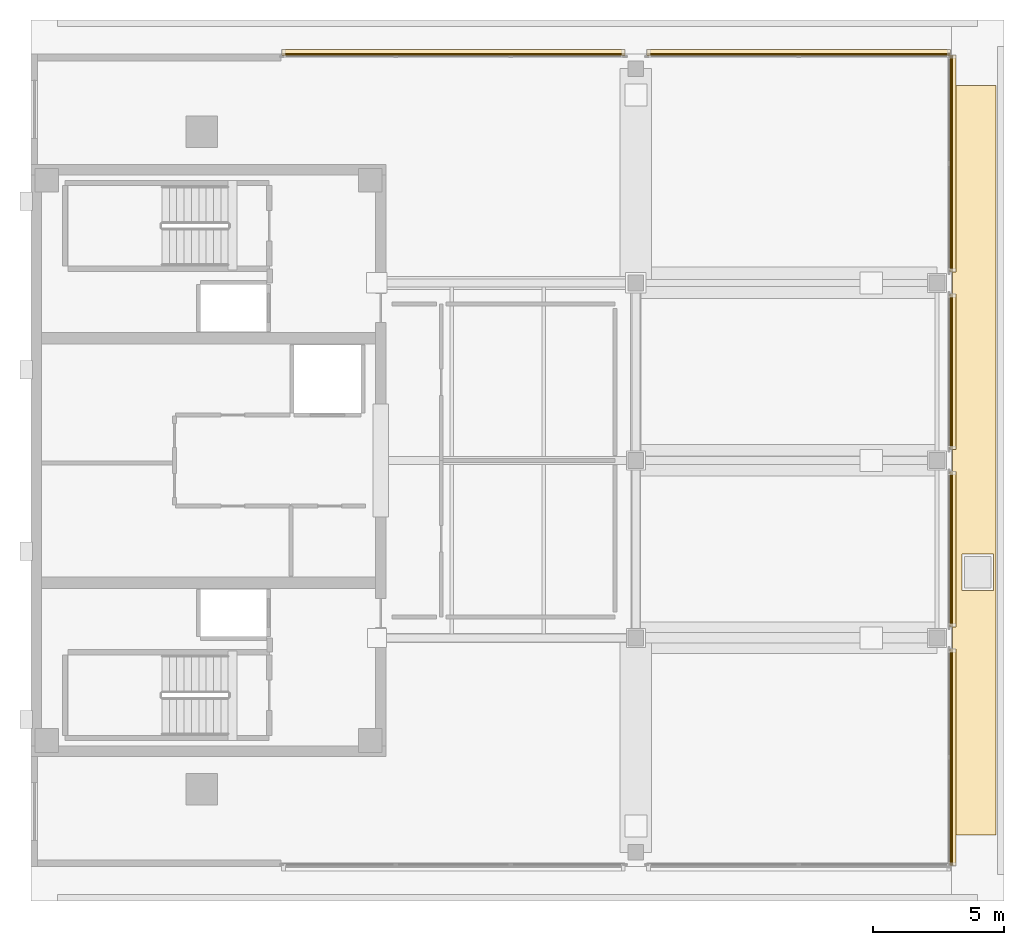
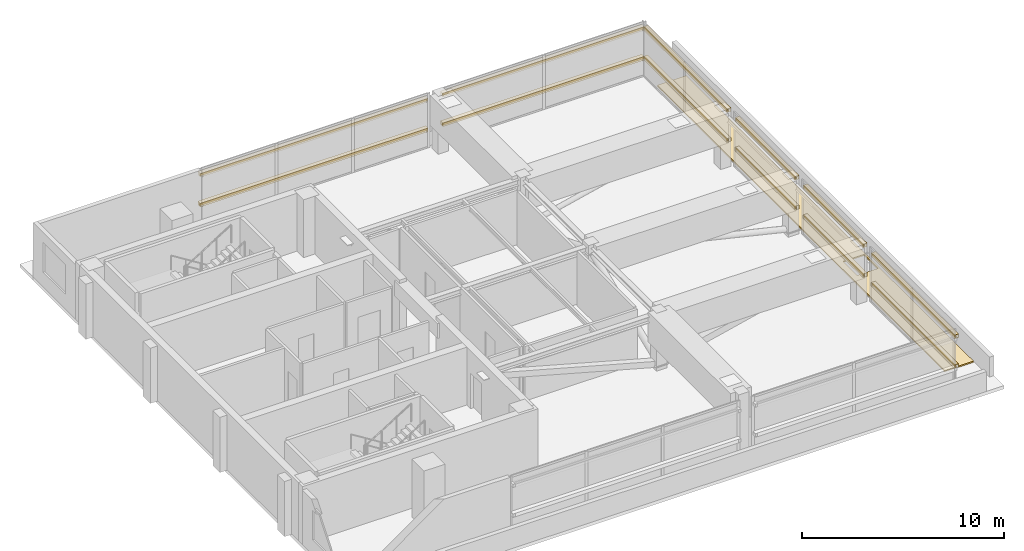
# One storey, part 11 of 11: 13 coverings, 12 shading devices.
"""IFC4 building model written with IfcOpenShell, lengths in metres."""

from ifc_helpers import new_model, si_unit, direction, frame, origin, origin_2d, place, context, subcontext, project, spatial, polyline, rectangle, outline, extrude, material, layer, layer_set, material_profile, profile_set, type_object, element, save


model = new_model("IFC4")

# Units and contexts
model_context = context("Model", 3, precision=1e-05, world=origin(), true_north=direction((0.0, 1.0)))
body_context = subcontext(model_context, "Body", "Model", "MODEL_VIEW")
ifc_project = project(units=[si_unit("LENGTHUNIT", "METRE"), si_unit("AREAUNIT", "SQUARE_METRE"), si_unit("VOLUMEUNIT", "CUBIC_METRE"), si_unit("PLANEANGLEUNIT", "RADIAN"), si_unit("MASSUNIT", "GRAM", prefix="KILO")], contexts=[model_context])

# Site, building, storey
site_placement = place(None, origin())
site = spatial("IfcSite", under=ifc_project, at=site_placement, CompositionType="ELEMENT")
building_placement = place(site_placement, origin())
building = spatial("IfcBuilding", under=site, at=building_placement, Name="Kinhvarn Gate Tower", CompositionType="ELEMENT")
storey_placement = place(building_placement, frame((0.0, 0.0, 307.550048828125)))
storey = spatial("IfcBuildingStorey", under=building, at=storey_placement, Name="L81", CompositionType="ELEMENT", Elevation=307.550048828125)

# Coverings
ifc_material_1 = material(Name="Fired architectural terracotta", Category="masonry")
ifc_layer_1 = layer(ifc_material_1, 0.239990234375)
ifc_layer_set_1 = layer_set([ifc_layer_1], Name="Fired architectural terracotta")
covering_type_1 = type_object("IfcCoveringType", Name="COV-BAG-220", PredefinedType="CLADDING", material=ifc_layer_set_1)
for number, where, name in (
    (1, (0.0, 0.0, 0.93994140625), "Terracotta Horizontal Sunscreen Band TBG-220 (L81)"),
    (2, (0.0, 0.0, 2.739990234375), "Terracotta Horizontal Sunscreen Band TBG-220 (L81)"),
):
    element("IfcCovering", number, at=place(storey_placement, frame(where)), inside=storey, type_object=covering_type_1, Name=name, PredefinedType="CLADDING", context=body_context, shape_type="SweptSolid", body=[
        extrude(outline(polyline([(39.4599609375, 40.6298828125), (27.919921875, 40.6298828125), (27.919921875, 40.8701171875), (39.4599609375, 40.8701171875), (39.4599609375, 40.6298828125)])), origin(), (0.0, 0.0, 1.0), 0.219970703125),
    ])
for number, where, name in (
    (3, (0.0, 0.0, 0.93994140625), "Terracotta Horizontal Sunscreen Band TBG-220 (L81)"),
    (4, (0.0, 0.0, 2.739990234375), "Terracotta Horizontal Sunscreen Band TBG-220 (L81)"),
):
    element("IfcCovering", number, at=place(storey_placement, frame(where)), inside=storey, type_object=covering_type_1, Name=name, PredefinedType="CLADDING", context=body_context, shape_type="SweptSolid", body=[
        extrude(outline(polyline([(27.080078125, 40.6298828125), (14.0400390625, 40.6298828125), (14.0400390625, 40.8701171875), (27.080078125, 40.8701171875), (27.080078125, 40.6298828125)])), origin(), (0.0, 0.0, 1.0), 0.219970703125),
    ])
for number, where, name in (
    (5, (0.0, 0.0, 0.93994140625), "Terracotta Horizontal Sunscreen Band TBG-220 (L81)"),
    (6, (0.0, 0.0, 2.739990234375), "Terracotta Horizontal Sunscreen Band TBG-220 (L81)"),
):
    element("IfcCovering", number, at=place(storey_placement, frame(where)), inside=storey, type_object=covering_type_1, Name=name, PredefinedType="CLADDING", context=body_context, shape_type="SweptSolid", body=[
        extrude(outline(polyline([(39.429931640625, 9.840087890625), (39.429931640625, 18.080078125), (39.669921875, 18.080078125), (39.669921875, 9.840087890625), (39.429931640625, 9.840087890625)])), origin(), (0.0, 0.0, 1.0), 0.219970703125),
    ])
for number, where, name in (
    (7, (0.0, 0.0, 0.93994140625), "Terracotta Horizontal Sunscreen Band TBG-220 (L81)"),
    (8, (0.0, 0.0, 2.739990234375), "Terracotta Horizontal Sunscreen Band TBG-220 (L81)"),
):
    element("IfcCovering", number, at=place(storey_placement, frame(where)), inside=storey, type_object=covering_type_1, Name=name, PredefinedType="CLADDING", context=body_context, shape_type="SweptSolid", body=[
        extrude(outline(polyline([(39.429931640625, 18.919921875), (39.429931640625, 24.830078125), (39.669921875, 24.830078125), (39.669921875, 18.919921875), (39.429931640625, 18.919921875)])), origin(), (0.0, 0.0, 1.0), 0.219970703125),
    ])
for number, where, name in (
    (9, (0.0, 0.0, 0.93994140625), "Terracotta Horizontal Sunscreen Band TBG-220 (L81)"),
    (10, (0.0, 0.0, 2.739990234375), "Terracotta Horizontal Sunscreen Band TBG-220 (L81)"),
):
    element("IfcCovering", number, at=place(storey_placement, frame(where)), inside=storey, type_object=covering_type_1, Name=name, PredefinedType="CLADDING", context=body_context, shape_type="SweptSolid", body=[
        extrude(outline(polyline([(39.429931640625, 25.669921875), (39.429931640625, 31.580078125), (39.669921875, 31.580078125), (39.669921875, 25.669921875), (39.429931640625, 25.669921875)])), origin(), (0.0, 0.0, 1.0), 0.219970703125),
    ])
for number, where, name in (
    (11, (0.0, 0.0, 0.93994140625), "Terracotta Horizontal Sunscreen Band TBG-220 (L81)"),
    (12, (0.0, 0.0, 2.739990234375), "Terracotta Horizontal Sunscreen Band TBG-220 (L81)"),
):
    element("IfcCovering", number, at=place(storey_placement, frame(where)), inside=storey, type_object=covering_type_1, Name=name, PredefinedType="CLADDING", context=body_context, shape_type="SweptSolid", body=[
        extrude(outline(polyline([(39.429931640625, 32.419921875), (39.429931640625, 40.659912109375), (39.669921875, 40.659912109375), (39.669921875, 32.419921875), (39.429931640625, 32.419921875)])), origin(), (0.0, 0.0, 1.0), 0.219970703125),
    ])
ifc_material_2 = material(Name="Insulated EPDM waterproof roof build-up")
ifc_layer_2 = layer(ifc_material_2, 0.080078125)
ifc_layer_set_2 = layer_set([ifc_layer_2], Name="Insulated EPDM waterproof roof build-up")
covering_type_2 = type_object("IfcCoveringType", Name="COV-ROOF-80", PredefinedType="ROOFING", material=ifc_layer_set_2)
covering_placement = place(storey_placement, origin())
element("IfcCovering", 13, at=covering_placement, inside=storey, type_object=covering_type_2, Name="Crown Waterproof EPDM Roof Covering (L81)", PredefinedType="ROOFING", context=body_context, shape_type="SweptSolid", body=[
    extrude(outline(polyline([(39.550048828125, 11.0), (39.550048828125, 39.5), (41.199951171875, 39.5), (41.199951171875, 11.0), (39.550048828125, 11.0)]), holes=[polyline([(41.10009765625, 21.699951171875), (39.89990234375, 21.699951171875), (39.89990234375, 20.300048828125), (41.10009765625, 20.300048828125), (41.10009765625, 21.699951171875)])]), origin(), (0.0, 0.0, 1.0), 0.079833984375),
])

# Shading devices
ifc_material_profile = material_profile(ifc_material_1, rectangle(XDim=0.050048828125, YDim=0.1201171875, at=origin_2d()), Name="TC 50x120")
ifc_profile_set = profile_set([ifc_material_profile], Name="Fired architectural terracotta")
shading_device_type = type_object("IfcShadingDeviceType", Name="SHD-BAG-140", PredefinedType="USERDEFINED", material=ifc_profile_set)
for number, where, z_axis, x_axis, name in (
    (14, (39.4599609375, 40.699951171875, 1.050048828125), (-1.0, 0.0, 0.0), (0.0, -1.0, 0.0), "Upper Tower Terracotta Baguette Screen Rod 50x120 mm (L81)"),
    (15, (39.4599609375, 40.699951171875, 2.849853515625), (-1.0, 0.0, 0.0), (0.0, -1.0, 0.0), "Upper Tower Terracotta Baguette Screen Rod 50x120 mm (L81)"),
):
    element("IfcShadingDevice", number, at=place(storey_placement, frame(where, z_axis=z_axis, x_axis=x_axis)), inside=storey, type_object=shading_device_type, Name=name, ObjectType="BAGUETTE", PredefinedType="USERDEFINED", context=body_context, shape_type="SweptSolid", body=[
        extrude(rectangle(XDim=0.050048828125, YDim=0.1201171875, at=origin_2d()), origin(), (0.0, 0.0, 1.0), 11.5400390625),
    ])
for number, where, z_axis, x_axis, name in (
    (16, (27.080078125, 40.699951171875, 1.050048828125), (-1.0, 0.0, 0.0), (0.0, -1.0, 0.0), "Upper Tower Terracotta Baguette Screen Rod 50x120 mm (L81)"),
    (17, (27.080078125, 40.699951171875, 2.849853515625), (-1.0, 0.0, 0.0), (0.0, -1.0, 0.0), "Upper Tower Terracotta Baguette Screen Rod 50x120 mm (L81)"),
):
    element("IfcShadingDevice", number, at=place(storey_placement, frame(where, z_axis=z_axis, x_axis=x_axis)), inside=storey, type_object=shading_device_type, Name=name, ObjectType="BAGUETTE", PredefinedType="USERDEFINED", context=body_context, shape_type="SweptSolid", body=[
        extrude(rectangle(XDim=0.050048828125, YDim=0.1201171875, at=origin_2d()), origin(), (0.0, 0.0, 1.0), 13.0400390625),
    ])
for number, where, z_axis, x_axis, name in (
    (18, (39.5, 9.840087890625, 1.050048828125), (0.0, 1.0, 0.0), (-1.0, 0.0, 0.0), "Upper Tower Terracotta Baguette Screen Rod 50x120 mm (L81)"),
    (19, (39.5, 9.840087890625, 2.849853515625), (0.0, 1.0, 0.0), (-1.0, 0.0, 0.0), "Upper Tower Terracotta Baguette Screen Rod 50x120 mm (L81)"),
):
    element("IfcShadingDevice", number, at=place(storey_placement, frame(where, z_axis=z_axis, x_axis=x_axis)), inside=storey, type_object=shading_device_type, Name=name, ObjectType="BAGUETTE", PredefinedType="USERDEFINED", context=body_context, shape_type="SweptSolid", body=[
        extrude(rectangle(XDim=0.050048828125, YDim=0.1201171875, at=origin_2d()), origin(), (0.0, 0.0, 1.0), 8.239990234375),
    ])
for number, where, z_axis, x_axis, name in (
    (20, (39.5, 18.919921875, 1.050048828125), (0.0, 1.0, 0.0), (-1.0, 0.0, 0.0), "Upper Tower Terracotta Baguette Screen Rod 50x120 mm (L81)"),
    (21, (39.5, 18.919921875, 2.849853515625), (0.0, 1.0, 0.0), (-1.0, 0.0, 0.0), "Upper Tower Terracotta Baguette Screen Rod 50x120 mm (L81)"),
    (22, (39.5, 25.669921875, 1.050048828125), (0.0, 1.0, 0.0), (-1.0, 0.0, 0.0), "Upper Tower Terracotta Baguette Screen Rod 50x120 mm (L81)"),
    (23, (39.5, 25.669921875, 2.849853515625), (0.0, 1.0, 0.0), (-1.0, 0.0, 0.0), "Upper Tower Terracotta Baguette Screen Rod 50x120 mm (L81)"),
):
    element("IfcShadingDevice", number, at=place(storey_placement, frame(where, z_axis=z_axis, x_axis=x_axis)), inside=storey, type_object=shading_device_type, Name=name, ObjectType="BAGUETTE", PredefinedType="USERDEFINED", context=body_context, shape_type="SweptSolid", body=[
        extrude(rectangle(XDim=0.050048828125, YDim=0.1201171875, at=origin_2d()), origin(), (0.0, 0.0, 1.0), 5.91015625),
    ])
for number, where, z_axis, x_axis, name in (
    (24, (39.5, 32.419921875, 1.050048828125), (0.0, 1.0, 0.0), (-1.0, 0.0, 0.0), "Upper Tower Terracotta Baguette Screen Rod 50x120 mm (L81)"),
    (25, (39.5, 32.419921875, 2.849853515625), (0.0, 1.0, 0.0), (-1.0, 0.0, 0.0), "Upper Tower Terracotta Baguette Screen Rod 50x120 mm (L81)"),
):
    element("IfcShadingDevice", number, at=place(storey_placement, frame(where, z_axis=z_axis, x_axis=x_axis)), inside=storey, type_object=shading_device_type, Name=name, ObjectType="BAGUETTE", PredefinedType="USERDEFINED", context=body_context, shape_type="SweptSolid", body=[
        extrude(rectangle(XDim=0.050048828125, YDim=0.1201171875, at=origin_2d()), origin(), (0.0, 0.0, 1.0), 8.239990234375),
    ])

save(model, "model.ifc")
